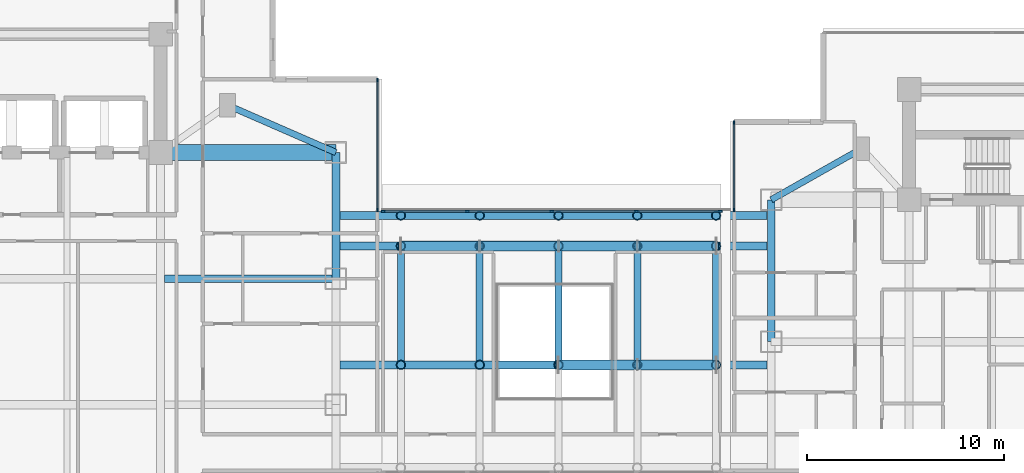
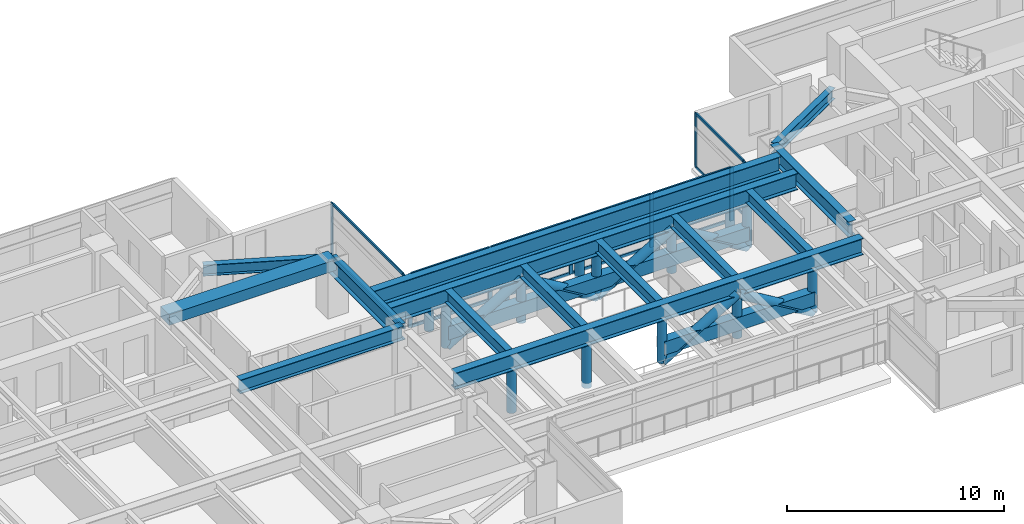
# One storey, part 6 of 28: 44 members, 14 beams, 3 elements without a shape of their own.
"""IFC4 building model written with IfcOpenShell, lengths in metres."""

import ifcopenshell
import ifcopenshell.guid

model = None  # the IFC model being written
_history = None  # IfcOwnerHistory: only IFC2X3 demands one
_inside = {}  # id of a spatial element -> (the spatial element, [elements in it])
_under = {}  # id of a project, library or spatial element -> (it, [spatial elements below it])
_declared = {}  # id of a project -> (the project, [libraries it declares])
_typed = {}  # id of a type object -> (the type object, [elements of that type])
_made_of = {}  # id of a material, layer set ... -> (it, [elements and type objects made of it])


def new_model(schema):
    """Start an empty IFC model of exactly this schema.

    Asked for "IFC4X3", IfcOpenShell would pick the latest addendum, in which some entities
    have other attributes; the version numbers below select the first issue.
    IFC2X3 requires an IfcOwnerHistory on every rooted entity: one is made here for all.
    """
    global model, _history
    if schema == "IFC4X3":
        model = ifcopenshell.file(schema_version=(4, 3, 0, 0))
    else:
        model = ifcopenshell.file(schema=schema)
    _inside.clear()
    _under.clear()
    _declared.clear()
    _typed.clear()
    _made_of.clear()
    _history = None
    if model.schema == "IFC2X3":
        org = make("IfcOrganization", Name="unknown")
        user = make(
            "IfcPersonAndOrganization",
            ThePerson=make("IfcPerson", FamilyName="unknown"),
            TheOrganization=org,
        )
        app = make(
            "IfcApplication",
            ApplicationDeveloper=org,
            Version="unknown",
            ApplicationFullName="unknown",
            ApplicationIdentifier="unknown",
        )
        _history = make(
            "IfcOwnerHistory",
            OwningUser=user,
            OwningApplication=app,
            ChangeAction="ADDED",
            CreationDate=0,
        )
    return model


def make(cls, **values):
    """One entity of the class cls with the attributes given. An attribute that is None is left unset."""
    return model.create_entity(
        cls, **{name: value for name, value in values.items() if value is not None}
    )


def rooted(cls, **values):
    """An entity with a GlobalId (a new one), such as an element, a storey or a relation."""
    return make(cls, GlobalId=ifcopenshell.guid.new(), OwnerHistory=_history, **values)


def si_unit(unit_type, name, prefix=None):
    """IfcSIUnit, for example si_unit("LENGTHUNIT", "METRE", prefix="MILLI")."""
    return make("IfcSIUnit", UnitType=unit_type, Prefix=prefix, Name=name)


def assignment(units):
    """IfcUnitAssignment: the units of a project."""
    return None if units is None else make("IfcUnitAssignment", Units=units)


def point(xyz):
    """IfcCartesianPoint."""
    return None if xyz is None else make("IfcCartesianPoint", Coordinates=xyz)


def direction(xyz):
    """IfcDirection."""
    return None if xyz is None else make("IfcDirection", DirectionRatios=xyz)


def frame(location, z_axis=None, x_axis=None):
    """IfcAxis2Placement3D, a coordinate frame: its origin and axes. An axis left out is left unset."""
    return make(
        "IfcAxis2Placement3D",
        Location=point(location),
        Axis=direction(z_axis),
        RefDirection=direction(x_axis),
    )


def frame_2d(location, x_axis=None):
    """IfcAxis2Placement2D, a coordinate frame in the plane: its origin and x axis."""
    return make(
        "IfcAxis2Placement2D", Location=point(location), RefDirection=direction(x_axis)
    )


def origin():
    """The frame at (0, 0, 0) with its axes left unset."""
    return frame((0.0, 0.0, 0.0))


def origin_2d():
    """The frame at (0, 0) in the plane with its x axis left unset."""
    return frame_2d((0.0, 0.0))


def place(relative_to, where):
    """IfcLocalPlacement: puts the frame where relative to a parent placement (None: the world)."""
    return make(
        "IfcLocalPlacement", PlacementRelTo=relative_to, RelativePlacement=where
    )


def context(
    kind, dimensions, precision=None, world=None, true_north=None, identifier=None
):
    """IfcGeometricRepresentationContext, for example the 3D "Model" context."""
    return make(
        "IfcGeometricRepresentationContext",
        ContextIdentifier=identifier,
        ContextType=kind,
        CoordinateSpaceDimension=dimensions,
        Precision=precision,
        WorldCoordinateSystem=world,
        TrueNorth=true_north,
    )


def subcontext(parent, identifier, kind, view, scale=None):
    """IfcGeometricRepresentationSubContext, for example "Body" below "Model"."""
    return make(
        "IfcGeometricRepresentationSubContext",
        ContextIdentifier=identifier,
        ContextType=kind,
        ParentContext=parent,
        TargetScale=scale,
        TargetView=view,
    )


def project(units=None, contexts=None):
    """IfcProject with its units and contexts."""
    return rooted(
        "IfcProject",
        Name="project",
        RepresentationContexts=contexts,
        UnitsInContext=assignment(units),
    )


def spatial(cls, under=None, at=None, **own):
    """A site, building, storey or space (cls), placed at a placement, below another one or the project."""
    s = rooted(cls, ObjectPlacement=at, **own)
    if under is not None:
        _under.setdefault(under.id(), (under, []))[1].append(s)
    return s


def profile(cls, at=None, kind="AREA", **sizes):
    """A parametric profile (cls). Its sizes go by their IFC names, for example OverallWidth=200.0."""
    return make(cls, ProfileType=kind, Position=at, **sizes)


def rectangle(**sizes):
    """IfcRectangleProfileDef."""
    return profile("IfcRectangleProfileDef", **sizes)


def hollow_rectangle(**sizes):
    """IfcRectangleHollowProfileDef."""
    return profile("IfcRectangleHollowProfileDef", **sizes)


def hollow_circle(**sizes):
    """IfcCircleHollowProfileDef."""
    return profile("IfcCircleHollowProfileDef", **sizes)


def i_section(**sizes):
    """IfcIShapeProfileDef."""
    return profile("IfcIShapeProfileDef", **sizes)


def extrude(swept, where, along, depth):
    """IfcExtrudedAreaSolid: the profile swept, set in the frame where, extruded along a direction by depth."""
    return make(
        "IfcExtrudedAreaSolid",
        SweptArea=swept,
        Position=where,
        ExtrudedDirection=direction(along),
        Depth=depth,
    )


def shape(context_of_items, identifier, shape_type, items):
    """IfcShapeRepresentation: the items that make up one representation, for example the "Body"."""
    return make(
        "IfcShapeRepresentation",
        ContextOfItems=context_of_items,
        RepresentationIdentifier=identifier,
        RepresentationType=shape_type,
        Items=items,
    )


def material(Name=None, Category=None):
    """IfcMaterial."""
    return make("IfcMaterial", Name=Name, Category=Category)


def material_profile(
    of_material, cross_section, Name=None, Category=None, Priority=None
):
    """IfcMaterialProfile: a cross section and its material."""
    return make(
        "IfcMaterialProfile",
        Name=Name,
        Material=of_material,
        Profile=cross_section,
        Priority=Priority,
        Category=Category,
    )


def profile_set(profiles, Name=None, composite=None):
    """IfcMaterialProfileSet."""
    return make(
        "IfcMaterialProfileSet",
        Name=Name,
        MaterialProfiles=profiles,
        CompositeProfile=composite,
    )


def made_of(thing, what):
    """Note that an element or type object is made of a material, layer set ...; save() writes the relation."""
    if what is not None:
        _made_of.setdefault(what.id(), (what, []))[1].append(thing)
    return thing


def type_object(cls, material=None, **own):
    """A type object (cls), such as IfcWallType, which elements share."""
    return made_of(rooted(cls, **own), material)


def element(
    cls,
    number,
    at=None,
    inside=None,
    cuts=None,
    type_object=None,
    material=None,
    context=None,
    identifier="Body",
    shape_type=None,
    held_by="IfcProductDefinitionShape",
    body=None,
    shapes=None,
    **own,
):
    """One element of the class cls, such as IfcWall. Its Tag is "e" and its number.

    at: its placement. inside: the storey or other place that contains it. cuts: it is an
    opening in that element (IfcRelVoidsElement). A single representation is given by context,
    identifier, shape_type and body (its items); several are given by shapes. held_by: the class
    of the entity that holds the representations. save() writes the other relations.
    """
    e = rooted(cls, Tag="e%d" % number, ObjectPlacement=at, **own)
    if body is not None:
        shapes = [shape(context, identifier, shape_type, body)]
    if shapes is not None:
        e.Representation = make(held_by, Representations=shapes)
    if inside is not None:
        _inside.setdefault(inside.id(), (inside, []))[1].append(e)
    if cuts is not None:
        rooted(
            "IfcRelVoidsElement", RelatingBuildingElement=cuts, RelatedOpeningElement=e
        )
    if type_object is not None:
        _typed.setdefault(type_object.id(), (type_object, []))[1].append(e)
    return made_of(e, material)


def aggregate(whole, parts):
    """IfcRelAggregates: a whole, such as a stair, and the parts it consists of."""
    return rooted("IfcRelAggregates", RelatingObject=whole, RelatedObjects=parts)


def save(model, path):
    """Write the relations noted so far, then the file.

    IfcRelAggregates (storeys below a building ...), IfcRelContainedInSpatialStructure (elements
    in a storey), IfcRelDefinesByType, IfcRelAssociatesMaterial and IfcRelDeclares: one each for
    every whole, place, type object, material and project.
    """
    for whole, parts in _under.values():
        aggregate(whole, parts)
    for where, things in _inside.values():
        rooted(
            "IfcRelContainedInSpatialStructure",
            RelatedElements=things,
            RelatingStructure=where,
        )
    for kind, things in _typed.values():
        rooted("IfcRelDefinesByType", RelatedObjects=things, RelatingType=kind)
    for what, things in _made_of.values():
        rooted("IfcRelAssociatesMaterial", RelatedObjects=things, RelatingMaterial=what)
    for by, libraries in _declared.values():
        rooted("IfcRelDeclares", RelatingContext=by, RelatedDefinitions=libraries)
    model.write(path)


model = new_model("IFC4")

# Units and contexts
model_context = context("Model", 3, precision=1e-05, world=origin(), true_north=direction((0.0, 1.0)))
body_context = subcontext(model_context, "Body", "Model", "MODEL_VIEW")
ifc_project = project(units=[si_unit("LENGTHUNIT", "METRE"), si_unit("AREAUNIT", "SQUARE_METRE"), si_unit("VOLUMEUNIT", "CUBIC_METRE"), si_unit("PLANEANGLEUNIT", "RADIAN"), si_unit("MASSUNIT", "GRAM", prefix="KILO")], contexts=[model_context])

# Site, building, storey
site_placement = place(None, origin())
site = spatial("IfcSite", under=ifc_project, at=site_placement, CompositionType="ELEMENT")
building_placement = place(site_placement, origin())
building = spatial("IfcBuilding", under=site, at=building_placement, Name="Mirazonda Arch Towers", CompositionType="ELEMENT")
storey_placement = place(building_placement, frame((0.0, 0.0, 91.699951171875)))
storey = spatial("IfcBuildingStorey", under=building, at=storey_placement, Name="L25", CompositionType="ELEMENT", Elevation=91.699951171875)

# Beams
ifc_material_1 = material(Name="Steel ASTM A992 Grade 50", Category="steel")
ifc_material_profile_1 = material_profile(ifc_material_1, i_section(OverallWidth=0.39990234375, OverallDepth=0.85595703125, WebThickness=0.018310546875, FlangeThickness=0.029296875, at=origin_2d()), Name="W33X201")
ifc_profile_set_1 = profile_set([ifc_material_profile_1], Name="Steel ASTM A992 Grade 50")
beam_type_1 = type_object("IfcBeamType", Name="BM-EXT-W33X201", PredefinedType="USERDEFINED", material=ifc_profile_set_1)
beam_1_placement = place(storey_placement, frame((61.0, 28.0, 2.652099609375), z_axis=(0.0, 1.0, 0.0), x_axis=(-1.0, 0.0, 0.0)))
element("IfcBeam", 1, at=beam_1_placement, inside=storey, type_object=beam_type_1, Name="L25 Floor Beam BM-T2-L25-NS-W-28", ObjectType="GIRDER", PredefinedType="USERDEFINED", context=body_context, shape_type="SweptSolid", body=[
    extrude(i_section(OverallWidth=0.39990234375, OverallDepth=0.85595703125, WebThickness=0.018310546875, FlangeThickness=0.029296875, at=origin_2d()), origin(), (0.0, 0.0, 1.0), 7.199951171875),
])
ifc_material_profile_2 = material_profile(ifc_material_1, i_section(OverallWidth=0.41796875, OverallDepth=0.927001953125, WebThickness=0.019287109375, FlangeThickness=0.031982421875, at=origin_2d()), Name="W36X231")
ifc_profile_set_2 = profile_set([ifc_material_profile_2], Name="Steel ASTM A992 Grade 50")
beam_type_2 = type_object("IfcBeamType", Name="BM-EXT-W36X231", PredefinedType="USERDEFINED", material=ifc_profile_set_2)
beam_2_placement = place(storey_placement, frame((38.89990234375, 31.199951171875, 2.616455078125), z_axis=(0.0, 1.0, 0.0), x_axis=(-1.0, 0.0, 0.0)))
element("IfcBeam", 2, at=beam_2_placement, inside=storey, type_object=beam_type_2, Name="L25 Floor Beam BM-T1-L25-NS-E-31", ObjectType="GIRDER", PredefinedType="USERDEFINED", context=body_context, shape_type="SweptSolid", body=[
    extrude(i_section(OverallWidth=0.41796875, OverallDepth=0.927001953125, WebThickness=0.019287109375, FlangeThickness=0.031982421875, at=origin_2d()), origin(), (0.0, 0.0, 1.0), 6.400146484375),
])
beam_3_placement = place(storey_placement, frame((39.10400390625, 34.39990234375, 2.556640625), z_axis=(1.0, 0.0, 0.0), x_axis=(0.0, 1.0, 0.0)))
element("IfcBeam", 3, at=beam_3_placement, inside=storey, type_object=beam_type_2, Name="L26 Skybridge N Longitudinal Box Girder", ObjectType="GIRDER", PredefinedType="USERDEFINED", context=body_context, shape_type="SweptSolid", body=[
    extrude(i_section(OverallWidth=0.41796875, OverallDepth=0.927001953125, WebThickness=0.019287109375, FlangeThickness=0.031982421875, at=origin_2d()), origin(), (0.0, 0.0, 1.0), 21.69189453125),
])
ifc_material_profile_3 = material_profile(ifc_material_1, i_section(OverallWidth=0.324951171875, OverallDepth=0.615966796875, WebThickness=0.013916015625, FlangeThickness=0.021484375, at=origin_2d()), Name="W24X117")
ifc_profile_set_3 = profile_set([ifc_material_profile_3], Name="Steel ASTM A992 Grade 50")
beam_type_3 = type_object("IfcBeamType", Name="BM-INT-W24X117", PredefinedType="BEAM", material=ifc_profile_set_3)
beam_4_placement = place(storey_placement, frame((33.39990234375, 40.0, 2.77197265625), z_axis=(0.916545343703, -0.399930785183, 0.0), x_axis=(0.399930785183, 0.916545343703, 0.0)))
element("IfcBeam", 4, at=beam_4_placement, inside=storey, type_object=beam_type_3, Name="L25 Floor Beam BM-T1-L25-PL-NE2", PredefinedType="BEAM", context=body_context, shape_type="SweptSolid", body=[
    extrude(i_section(OverallWidth=0.324951171875, OverallDepth=0.615966796875, WebThickness=0.013916015625, FlangeThickness=0.021484375, at=origin_2d()), origin(), (0.0, 0.0, 1.0), 6.000732421875),
])
beam_5_placement = place(storey_placement, frame((65.60009765625, 37.800048828125, 2.77197265625), z_axis=(-0.870559396632, -0.492063346467, 0.0), x_axis=(0.492063346467, -0.870559396632, 0.0)))
element("IfcBeam", 5, at=beam_5_placement, inside=storey, type_object=beam_type_3, Name="L25 Floor Beam BM-T2-L25-PL-NW2", PredefinedType="BEAM", context=body_context, shape_type="SweptSolid", body=[
    extrude(i_section(OverallWidth=0.324951171875, OverallDepth=0.615966796875, WebThickness=0.013916015625, FlangeThickness=0.021484375, at=origin_2d()), origin(), (0.0, 0.0, 1.0), 5.2841796875),
])
ifc_material_profile_4 = material_profile(ifc_material_1, i_section(OverallWidth=0.35498046875, OverallDepth=0.696044921875, WebThickness=0.015380859375, FlangeThickness=0.02490234375, at=origin_2d()), Name="W27X146")
ifc_profile_set_4 = profile_set([ifc_material_profile_4], Name="Steel ASTM A992 Grade 50")
beam_type_4 = type_object("IfcBeamType", Name="BM-INT-W27X146", PredefinedType="BEAM", material=ifc_profile_set_4)
for number, where, z_axis, x_axis, name in (
    (6, (42.199951171875, 27.02392578125, 2.672119140625), (0.0, 1.0, 0.0), (-1.0, 0.0, 0.0), "L25 Floor Beam BM-BRG-L26-XG1B"),
    (7, (46.199951171875, 27.02392578125, 2.672119140625), (0.0, 1.0, 0.0), (-1.0, 0.0, 0.0), "L25 Floor Beam BM-BRG-L26-XG2B"),
    (8, (50.199951171875, 27.02392578125, 2.672119140625), (0.0, 1.0, 0.0), (-1.0, 0.0, 0.0), "L25 Floor Beam BM-BRG-L26-XG3B"),
    (9, (54.199951171875, 27.02392578125, 2.672119140625), (0.0, 1.0, 0.0), (-1.0, 0.0, 0.0), "L25 Floor Beam BM-BRG-L26-XG4B"),
    (10, (58.199951171875, 27.02392578125, 2.672119140625), (0.0, 1.0, 0.0), (-1.0, 0.0, 0.0), "L25 Floor Beam BM-BRG-L26-XG5B"),
):
    element("IfcBeam", number, at=place(storey_placement, frame(where, z_axis=z_axis, x_axis=x_axis)), inside=storey, type_object=beam_type_4, Name=name, PredefinedType="BEAM", context=body_context, shape_type="SweptSolid", body=[
        extrude(i_section(OverallWidth=0.35498046875, OverallDepth=0.696044921875, WebThickness=0.015380859375, FlangeThickness=0.02490234375, at=origin_2d()), origin(), (0.0, 0.0, 1.0), 5.6220703125),
    ])
ifc_material_profile_5 = material_profile(ifc_material_1, i_section(OverallWidth=0.381103515625, OverallDepth=0.77294921875, WebThickness=0.0166015625, FlangeThickness=0.027099609375, at=origin_2d()), Name="W30X173")
ifc_profile_set_5 = profile_set([ifc_material_profile_5], Name="Steel ASTM A992 Grade 50")
beam_type_5 = type_object("IfcBeamType", Name="BM-INT-W30X173", PredefinedType="USERDEFINED", material=ifc_profile_set_5)
beam_6_placement = place(storey_placement, frame((30.21142578125, 31.199951171875, 2.693603515625), z_axis=(1.0, 0.0, 0.0), x_axis=(0.0, 1.0, 0.0)))
element("IfcBeam", 11, at=beam_6_placement, inside=storey, type_object=beam_type_5, Name="L25 Floor Beam BM-T1-L25-GE3", ObjectType="GIRDER", PredefinedType="USERDEFINED", context=body_context, shape_type="SweptSolid", body=[
    extrude(i_section(OverallWidth=0.381103515625, OverallDepth=0.77294921875, WebThickness=0.0166015625, FlangeThickness=0.027099609375, at=origin_2d()), origin(), (0.0, 0.0, 1.0), 8.6884765625),
])
ifc_material_profile_6 = material_profile(ifc_material_1, i_section(OverallWidth=0.41796875, OverallDepth=0.927001953125, WebThickness=0.019287109375, FlangeThickness=0.031982421875, at=origin_2d()), Name="W36X231")
ifc_profile_set_6 = profile_set([ifc_material_profile_6], Name="Steel ASTM A992 Grade 50")
beam_type_6 = type_object("IfcBeamType", Name="BM-INT-W36X231", PredefinedType="USERDEFINED", material=ifc_profile_set_6)
for number, where, z_axis, x_axis, name in (
    (12, (39.10400390625, 26.820068359375, 2.556640625), (1.0, 0.0, 0.0), (0.0, 1.0, 0.0), "L26 Skybridge IS Interior Truss Girder"),
    (13, (39.10400390625, 32.85009765625, 2.556640625), (1.0, 0.0, 0.0), (0.0, 1.0, 0.0), "L26 Skybridge IN Interior Truss Girder"),
):
    element("IfcBeam", number, at=place(storey_placement, frame(where, z_axis=z_axis, x_axis=x_axis)), inside=storey, type_object=beam_type_6, Name=name, ObjectType="GIRDER", PredefinedType="USERDEFINED", context=body_context, shape_type="SweptSolid", body=[
        extrude(i_section(OverallWidth=0.41796875, OverallDepth=0.927001953125, WebThickness=0.019287109375, FlangeThickness=0.031982421875, at=origin_2d()), origin(), (0.0, 0.0, 1.0), 21.69189453125),
    ])
ifc_material_2 = material(Name="Concrete C60/75", Category="concrete")
ifc_material_profile_7 = material_profile(ifc_material_2, rectangle(XDim=0.800048828125, YDim=0.60009765625, at=origin_2d()), Name="RCCB800x600")
ifc_profile_set_7 = profile_set([ifc_material_profile_7], Name="Concrete C60/75")
beam_type_7 = type_object("IfcBeamType", Name="CB-INT-RCCB800x600", PredefinedType="SPANDREL", material=ifc_profile_set_7)
beam_7_placement = place(storey_placement, frame((30.0, 37.60009765625, 2.780029296875), z_axis=(1.0, 0.0, 0.0), x_axis=(0.0, 1.0, 0.0)))
element("IfcBeam", 14, at=beam_7_placement, inside=storey, type_object=beam_type_7, Name="L25 Floor Beam CBC-T1-L25-NE", PredefinedType="SPANDREL", context=body_context, shape_type="SweptSolid", body=[
    extrude(rectangle(XDim=0.800048828125, YDim=0.60009765625, at=origin_2d()), origin(), (0.0, 0.0, 1.0), 8.89990234375),
])

# Members
ifc_material_3 = material(Name="Steel ASTM A572 Grade 50", Category="steel")
ifc_material_profile_8 = material_profile(ifc_material_3, hollow_circle(Radius=0.228515625, WallThickness=0.02197265625, at=origin_2d()), Name="BELTSTRUT457x22CHS")
ifc_profile_set_8 = profile_set([ifc_material_profile_8], Name="Steel ASTM A572 Grade 50")
member_type_1 = type_object("IfcMemberType", Name="MBR-EXT-BELTSTRUT457x22CHS", PredefinedType="STRUT", material=ifc_profile_set_8)
for number, where, z_axis, x_axis, name in (
    (15, (42.199951171875, 34.39990234375, -0.2900390625), (0.0, 0.0, 1.0), (1.0, 0.0, 0.0), "L25 Skybridge N Vierendeel Post 1"),
    (16, (46.199951171875, 34.39990234375, -0.2900390625), (0.0, 0.0, 1.0), (1.0, 0.0, 0.0), "L25 Skybridge N Vierendeel Post 2"),
    (17, (50.199951171875, 34.39990234375, -0.2900390625), (0.0, 0.0, 1.0), (1.0, 0.0, 0.0), "L25 Skybridge N Vierendeel Post 3"),
    (18, (54.199951171875, 34.39990234375, -0.2900390625), (0.0, 0.0, 1.0), (1.0, 0.0, 0.0), "L25 Skybridge N Vierendeel Post 4"),
    (19, (58.199951171875, 34.39990234375, -0.2900390625), (0.0, 0.0, 1.0), (1.0, 0.0, 0.0), "L25 Skybridge N Vierendeel Post 5"),
    (20, (42.199951171875, 26.820068359375, -0.2900390625), (0.0, 0.0, 1.0), (1.0, 0.0, 0.0), "L25 Skybridge IS Interior Truss Post 1"),
    (21, (46.199951171875, 26.820068359375, -0.2900390625), (0.0, 0.0, 1.0), (1.0, 0.0, 0.0), "L25 Skybridge IS Interior Truss Post 2"),
    (22, (50.199951171875, 26.820068359375, -0.2900390625), (0.0, 0.0, 1.0), (1.0, 0.0, 0.0), "L25 Skybridge IS Interior Truss Post 3"),
    (23, (54.199951171875, 26.820068359375, -0.2900390625), (0.0, 0.0, 1.0), (1.0, 0.0, 0.0), "L25 Skybridge IS Interior Truss Post 4"),
    (24, (58.199951171875, 26.820068359375, -0.2900390625), (0.0, 0.0, 1.0), (1.0, 0.0, 0.0), "L25 Skybridge IS Interior Truss Post 5"),
    (25, (42.199951171875, 32.85009765625, -0.2900390625), (0.0, 0.0, 1.0), (1.0, 0.0, 0.0), "L25 Skybridge IN Interior Truss Post 1"),
    (26, (46.199951171875, 32.85009765625, -0.2900390625), (0.0, 0.0, 1.0), (1.0, 0.0, 0.0), "L25 Skybridge IN Interior Truss Post 2"),
    (27, (50.199951171875, 32.85009765625, -0.2900390625), (0.0, 0.0, 1.0), (1.0, 0.0, 0.0), "L25 Skybridge IN Interior Truss Post 3"),
    (28, (54.199951171875, 32.85009765625, -0.2900390625), (0.0, 0.0, 1.0), (1.0, 0.0, 0.0), "L25 Skybridge IN Interior Truss Post 4"),
    (29, (58.199951171875, 32.85009765625, -0.2900390625), (0.0, 0.0, 1.0), (1.0, 0.0, 0.0), "L25 Skybridge IN Interior Truss Post 5"),
):
    element("IfcMember", number, at=place(storey_placement, frame(where, z_axis=z_axis, x_axis=x_axis)), inside=storey, type_object=member_type_1, Name=name, PredefinedType="STRUT", context=body_context, shape_type="SweptSolid", body=[
        extrude(hollow_circle(Radius=0.228515625, WallThickness=0.02197265625, at=origin_2d()), origin(), (0.0, 0.0, 1.0), 2.39306640625),
    ])
ifc_material_profile_9 = material_profile(ifc_material_3, hollow_rectangle(XDim=0.5, YDim=0.75, WallThickness=0.0419921875, at=origin_2d()), Name="BRGCHORD750x500x42")
ifc_profile_set_9 = profile_set([ifc_material_profile_9], Name="Steel ASTM A572 Grade 50")
member_type_2 = type_object("IfcMemberType", Name="MBR-EXT-BRGCHORD750x500x42", PredefinedType="CHORD", material=ifc_profile_set_9)
member_1_placement = place(storey_placement, frame((50.199951171875, 26.820068359375, 0.550048828125), z_axis=(1.0, 0.0, 0.0), x_axis=(0.0, 1.0, 0.0)))
element("IfcMember", 30, at=member_1_placement, inside=storey, type_object=member_type_2, Name="L25 Skybridge IS Truss Chord", PredefinedType="CHORD", context=body_context, shape_type="SweptSolid", body=[
    extrude(hollow_rectangle(XDim=0.5, YDim=0.75, WallThickness=0.0419921875, at=origin_2d()), origin(), (0.0, 0.0, 1.0), 8.0),
])
member_2_placement = place(storey_placement, frame((42.199951171875, 32.85009765625, 0.550048828125), z_axis=(1.0, 0.0, 0.0), x_axis=(0.0, 1.0, 0.0)))
element("IfcMember", 31, at=member_2_placement, inside=storey, type_object=member_type_2, Name="L25 Skybridge IN Truss Chord", PredefinedType="CHORD", context=body_context, shape_type="SweptSolid", body=[
    extrude(hollow_rectangle(XDim=0.5, YDim=0.75, WallThickness=0.0419921875, at=origin_2d()), origin(), (0.0, 0.0, 1.0), 16.0),
])
ifc_material_profile_10 = material_profile(ifc_material_3, hollow_circle(Radius=0.25390625, WallThickness=0.02490234375, at=origin_2d()), Name="BRGDIAG508x25CHS")
ifc_profile_set_10 = profile_set([ifc_material_profile_10], Name="Steel ASTM A572 Grade 50")
member_type_3 = type_object("IfcMemberType", Name="MBR-EXT-BRGDIAG508x25CHS", PredefinedType="BRACE", material=ifc_profile_set_10)
for number, where, z_axis, x_axis, name in (
    (32, (50.199951171875, 26.820068359375, -0.2900390625), (0.858148483991, 0.0, 0.513401577153), (0.0, 1.0, 0.0), "L25 Skybridge IS Web Diagonal 3"),
    (33, (54.199951171875, 26.820068359375, 2.10302734375), (0.858148483991, 0.0, -0.513401577153), (0.0, 1.0, 0.0), "L25 Skybridge IS Web Diagonal 4"),
    (34, (42.199951171875, 32.85009765625, -0.2900390625), (0.858148483991, 0.0, 0.513401577153), (0.0, 1.0, 0.0), "L25 Skybridge IN Web Diagonal 1"),
    (35, (46.199951171875, 32.85009765625, 2.10302734375), (0.858148483991, 0.0, -0.513401577153), (0.0, 1.0, 0.0), "L25 Skybridge IN Web Diagonal 2"),
    (36, (50.199951171875, 32.85009765625, -0.2900390625), (0.858148483991, 0.0, 0.513401577153), (0.0, 1.0, 0.0), "L25 Skybridge IN Web Diagonal 3"),
    (37, (54.199951171875, 32.85009765625, 2.10302734375), (0.858148483991, 0.0, -0.513401577153), (0.0, 1.0, 0.0), "L25 Skybridge IN Web Diagonal 4"),
):
    element("IfcMember", number, at=place(storey_placement, frame(where, z_axis=z_axis, x_axis=x_axis)), inside=storey, type_object=member_type_3, Name=name, PredefinedType="BRACE", context=body_context, shape_type="SweptSolid", body=[
        extrude(hollow_circle(Radius=0.25390625, WallThickness=0.02490234375, at=origin_2d()), origin(), (0.0, 0.0, 1.0), 4.6611328125),
    ])

# Curtain wall, members
ifc_material_4 = material(Name="Anodised Aluminium and Low-E Glass", Category="aluminium")
curtain_wall_type_1 = type_object("IfcCurtainWallType", Name="CW-BRG-LINK", PredefinedType="NOTDEFINED", material=ifc_material_4)
curtain_wall_1_placement = place(storey_placement, origin())
curtain_wall_1 = element("IfcCurtainWall", 38, at=curtain_wall_1_placement, inside=storey, type_object=curtain_wall_type_1, Name="L25 Skybridge North Glazing CW-L25-BRG-N", PredefinedType="NOTDEFINED")
ifc_material_5 = material(Name="Anodised Aluminium Alloy", Category="aluminium")
ifc_material_profile_11 = material_profile(ifc_material_5, rectangle(XDim=0.0849609375, YDim=0.199951171875, at=origin_2d()), Name="ALU-MULL-85x200")
ifc_profile_set_11 = profile_set([ifc_material_profile_11], Name="Anodised Aluminium Alloy")
member_type_4 = type_object("IfcMemberType", Name="MULL-CW-BRG-LINK", PredefinedType="MULLION", material=ifc_profile_set_11)
member_3_placement = place(storey_placement, frame((41.3125, 34.6201171875, 0.0), z_axis=(0.0, 0.0, 1.0), x_axis=(0.0, 1.0, 0.0)))
member_3 = element("IfcMember", 39, at=member_3_placement, type_object=member_type_4, Name="CW-103 mullion 1", PredefinedType="MULLION", context=body_context, shape_type="SweptSolid", body=[
    extrude(rectangle(XDim=0.0849609375, YDim=0.199951171875, at=origin_2d()), origin(), (0.0, 0.0, 1.0), 3.0),
])
member_4_placement = place(storey_placement, frame((45.56494140625, 34.6201171875, 0.0), z_axis=(0.0, 0.0, 1.0), x_axis=(0.0, 1.0, 0.0)))
member_4 = element("IfcMember", 40, at=member_4_placement, type_object=member_type_4, Name="CW-103 mullion 2", PredefinedType="MULLION", context=body_context, shape_type="SweptSolid", body=[
    extrude(rectangle(XDim=0.0849609375, YDim=0.199951171875, at=origin_2d()), origin(), (0.0, 0.0, 1.0), 3.0),
])
member_5_placement = place(storey_placement, frame((49.85986328125, 34.6201171875, 0.0), z_axis=(0.0, 0.0, 1.0), x_axis=(0.0, 1.0, 0.0)))
member_5 = element("IfcMember", 41, at=member_5_placement, type_object=member_type_4, Name="CW-103 mullion 3", PredefinedType="MULLION", context=body_context, shape_type="SweptSolid", body=[
    extrude(rectangle(XDim=0.0849609375, YDim=0.199951171875, at=origin_2d()), origin(), (0.0, 0.0, 1.0), 3.0),
])
member_6_placement = place(storey_placement, frame((54.154541015625, 34.6201171875, 0.0), z_axis=(0.0, 0.0, 1.0), x_axis=(0.0, 1.0, 0.0)))
member_6 = element("IfcMember", 42, at=member_6_placement, type_object=member_type_4, Name="CW-103 mullion 4", PredefinedType="MULLION", context=body_context, shape_type="SweptSolid", body=[
    extrude(rectangle(XDim=0.0849609375, YDim=0.199951171875, at=origin_2d()), origin(), (0.0, 0.0, 1.0), 3.0),
])
member_7_placement = place(storey_placement, frame((58.406982421875, 34.6201171875, 0.0), z_axis=(0.0, 0.0, 1.0), x_axis=(0.0, 1.0, 0.0)))
member_7 = element("IfcMember", 43, at=member_7_placement, type_object=member_type_4, Name="CW-103 mullion 5", PredefinedType="MULLION", context=body_context, shape_type="SweptSolid", body=[
    extrude(rectangle(XDim=0.0849609375, YDim=0.199951171875, at=origin_2d()), origin(), (0.0, 0.0, 1.0), 3.0),
])

curtain_wall_type_2 = type_object("IfcCurtainWallType", Name="CW-HTL-UNIT", PredefinedType="NOTDEFINED", material=ifc_material_4)
curtain_wall_2_placement = place(storey_placement, origin())
curtain_wall_2 = element("IfcCurtainWall", 44, at=curtain_wall_2_placement, inside=storey, type_object=curtain_wall_type_2, Name="L25 Curtain Wall CW-L25-T1-E2", PredefinedType="NOTDEFINED")
ifc_material_profile_12 = material_profile(ifc_material_5, rectangle(XDim=0.074951171875, YDim=0.1650390625, at=origin_2d()), Name="ALU-MULL-75x165")
ifc_profile_set_12 = profile_set([ifc_material_profile_12], Name="Anodised Aluminium Alloy")
member_type_5 = type_object("IfcMemberType", Name="MULL-CW-HTL-UNIT", PredefinedType="MULLION", material=ifc_profile_set_12)
member_8_placement = place(storey_placement, frame((41.010009765625, 34.677490234375, 0.0), z_axis=(0.0, 0.0, 1.0), x_axis=(-1.0, 0.0, 0.0)))
member_8 = element("IfcMember", 45, at=member_8_placement, type_object=member_type_5, Name="CW-112 mullion 1", PredefinedType="MULLION", context=body_context, shape_type="SweptSolid", body=[
    extrude(rectangle(XDim=0.074951171875, YDim=0.1650390625, at=origin_2d()), origin(), (0.0, 0.0, 1.0), 3.06005859375),
])
member_9_placement = place(storey_placement, frame((41.010009765625, 41.285400390625, 0.0), z_axis=(0.0, 0.0, 1.0), x_axis=(-1.0, 0.0, 0.0)))
member_9 = element("IfcMember", 46, at=member_9_placement, type_object=member_type_5, Name="CW-112 mullion 2", PredefinedType="MULLION", context=body_context, shape_type="SweptSolid", body=[
    extrude(rectangle(XDim=0.074951171875, YDim=0.1650390625, at=origin_2d()), origin(), (0.0, 0.0, 1.0), 3.06005859375),
])

curtain_wall_3_placement = place(storey_placement, origin())
curtain_wall_3 = element("IfcCurtainWall", 47, at=curtain_wall_3_placement, inside=storey, type_object=curtain_wall_type_2, Name="L25 Curtain Wall CW-L25-T2-W1", PredefinedType="NOTDEFINED")
member_10_placement = place(storey_placement, frame((59.119384765625, 39.126953125, 0.0), z_axis=(0.0, 0.0, 1.0), x_axis=(1.0, 0.0, 0.0)))
member_10 = element("IfcMember", 48, at=member_10_placement, type_object=member_type_5, Name="CW-112 mullion 1", PredefinedType="MULLION", context=body_context, shape_type="SweptSolid", body=[
    extrude(rectangle(XDim=0.074951171875, YDim=0.1650390625, at=origin_2d()), origin(), (0.0, 0.0, 1.0), 3.06005859375),
])
member_11_placement = place(storey_placement, frame((59.119384765625, 34.677490234375, 0.0), z_axis=(0.0, 0.0, 1.0), x_axis=(1.0, 0.0, 0.0)))
member_11 = element("IfcMember", 49, at=member_11_placement, type_object=member_type_5, Name="CW-112 mullion 2", PredefinedType="MULLION", context=body_context, shape_type="SweptSolid", body=[
    extrude(rectangle(XDim=0.074951171875, YDim=0.1650390625, at=origin_2d()), origin(), (0.0, 0.0, 1.0), 3.06005859375),
])

# Member
ifc_material_profile_13 = material_profile(ifc_material_5, rectangle(XDim=0.0849609375, YDim=0.179931640625, at=origin_2d()), Name="ALU-TRAN-85x180")
ifc_profile_set_13 = profile_set([ifc_material_profile_13], Name="Anodised Aluminium Alloy")
member_type_6 = type_object("IfcMemberType", Name="TRAN-CW-BRG-LINK", PredefinedType="USERDEFINED", material=ifc_profile_set_13)
member_12_placement = place(storey_placement, frame((41.35498046875, 34.6201171875, 0.04248046875), z_axis=(1.0, 0.0, 0.0), x_axis=(0.0, 1.0, 0.0)))
member_12 = element("IfcMember", 50, at=member_12_placement, type_object=member_type_6, Name="CW-103 transom 1.1", ObjectType="TRANSOM", PredefinedType="USERDEFINED", context=body_context, shape_type="SweptSolid", body=[
    extrude(rectangle(XDim=0.0849609375, YDim=0.179931640625, at=origin_2d()), origin(), (0.0, 0.0, 1.0), 4.16748046875),
])

member_13_placement = place(storey_placement, frame((41.35498046875, 34.6201171875, 2.95751953125), z_axis=(1.0, 0.0, 0.0), x_axis=(0.0, 1.0, 0.0)))
member_13 = element("IfcMember", 51, at=member_13_placement, type_object=member_type_6, Name="CW-103 transom 1.2", ObjectType="TRANSOM", PredefinedType="USERDEFINED", context=body_context, shape_type="SweptSolid", body=[
    extrude(rectangle(XDim=0.0849609375, YDim=0.179931640625, at=origin_2d()), origin(), (0.0, 0.0, 1.0), 4.16748046875),
])

member_14_placement = place(storey_placement, frame((45.607421875, 34.6201171875, 0.04248046875), z_axis=(1.0, 0.0, 0.0), x_axis=(0.0, 1.0, 0.0)))
member_14 = element("IfcMember", 52, at=member_14_placement, type_object=member_type_6, Name="CW-103 transom 2.1", ObjectType="TRANSOM", PredefinedType="USERDEFINED", context=body_context, shape_type="SweptSolid", body=[
    extrude(rectangle(XDim=0.0849609375, YDim=0.179931640625, at=origin_2d()), origin(), (0.0, 0.0, 1.0), 4.209716796875),
])

member_15_placement = place(storey_placement, frame((45.607421875, 34.6201171875, 2.95751953125), z_axis=(1.0, 0.0, 0.0), x_axis=(0.0, 1.0, 0.0)))
member_15 = element("IfcMember", 53, at=member_15_placement, type_object=member_type_6, Name="CW-103 transom 2.2", ObjectType="TRANSOM", PredefinedType="USERDEFINED", context=body_context, shape_type="SweptSolid", body=[
    extrude(rectangle(XDim=0.0849609375, YDim=0.179931640625, at=origin_2d()), origin(), (0.0, 0.0, 1.0), 4.209716796875),
])

member_16_placement = place(storey_placement, frame((49.90234375, 34.6201171875, 0.04248046875), z_axis=(1.0, 0.0, 0.0), x_axis=(0.0, 1.0, 0.0)))
member_16 = element("IfcMember", 54, at=member_16_placement, type_object=member_type_6, Name="CW-103 transom 3.1", ObjectType="TRANSOM", PredefinedType="USERDEFINED", context=body_context, shape_type="SweptSolid", body=[
    extrude(rectangle(XDim=0.0849609375, YDim=0.179931640625, at=origin_2d()), origin(), (0.0, 0.0, 1.0), 4.209716796875),
])

member_17_placement = place(storey_placement, frame((49.90234375, 34.6201171875, 2.95751953125), z_axis=(1.0, 0.0, 0.0), x_axis=(0.0, 1.0, 0.0)))
member_17 = element("IfcMember", 55, at=member_17_placement, type_object=member_type_6, Name="CW-103 transom 3.2", ObjectType="TRANSOM", PredefinedType="USERDEFINED", context=body_context, shape_type="SweptSolid", body=[
    extrude(rectangle(XDim=0.0849609375, YDim=0.179931640625, at=origin_2d()), origin(), (0.0, 0.0, 1.0), 4.209716796875),
])

member_18_placement = place(storey_placement, frame((54.197021484375, 34.6201171875, 0.04248046875), z_axis=(1.0, 0.0, 0.0), x_axis=(0.0, 1.0, 0.0)))
member_18 = element("IfcMember", 56, at=member_18_placement, type_object=member_type_6, Name="CW-103 transom 4.1", ObjectType="TRANSOM", PredefinedType="USERDEFINED", context=body_context, shape_type="SweptSolid", body=[
    extrude(rectangle(XDim=0.0849609375, YDim=0.179931640625, at=origin_2d()), origin(), (0.0, 0.0, 1.0), 4.16748046875),
])

member_19_placement = place(storey_placement, frame((54.197021484375, 34.6201171875, 2.95751953125), z_axis=(1.0, 0.0, 0.0), x_axis=(0.0, 1.0, 0.0)))
member_19 = element("IfcMember", 57, at=member_19_placement, type_object=member_type_6, Name="CW-103 transom 4.2", ObjectType="TRANSOM", PredefinedType="USERDEFINED", context=body_context, shape_type="SweptSolid", body=[
    extrude(rectangle(XDim=0.0849609375, YDim=0.179931640625, at=origin_2d()), origin(), (0.0, 0.0, 1.0), 4.16748046875),
])

aggregate(curtain_wall_1, [member_3, member_4, member_5, member_6, member_7, member_12, member_13, member_14, member_15, member_16, member_17, member_18, member_19])

ifc_material_profile_14 = material_profile(ifc_material_5, rectangle(XDim=0.074951171875, YDim=0.14501953125, at=origin_2d()), Name="ALU-TRAN-75x145")
ifc_profile_set_14 = profile_set([ifc_material_profile_14], Name="Anodised Aluminium Alloy")
member_type_7 = type_object("IfcMemberType", Name="TRAN-CW-HTL-UNIT", PredefinedType="USERDEFINED", material=ifc_profile_set_14)
member_20_placement = place(storey_placement, frame((41.010009765625, 34.715087890625, 0.03759765625), z_axis=(0.0, 1.0, 0.0), x_axis=(-1.0, 0.0, 0.0)))
member_20 = element("IfcMember", 58, at=member_20_placement, type_object=member_type_7, Name="CW-112 transom 1.1", ObjectType="TRANSOM", PredefinedType="USERDEFINED", context=body_context, shape_type="SweptSolid", body=[
    extrude(rectangle(XDim=0.074951171875, YDim=0.14501953125, at=origin_2d()), origin(), (0.0, 0.0, 1.0), 6.532958984375),
])

member_21_placement = place(storey_placement, frame((41.010009765625, 34.715087890625, 3.0224609375), z_axis=(0.0, 1.0, 0.0), x_axis=(-1.0, 0.0, 0.0)))
member_21 = element("IfcMember", 59, at=member_21_placement, type_object=member_type_7, Name="CW-112 transom 1.2", ObjectType="TRANSOM", PredefinedType="USERDEFINED", context=body_context, shape_type="SweptSolid", body=[
    extrude(rectangle(XDim=0.074951171875, YDim=0.14501953125, at=origin_2d()), origin(), (0.0, 0.0, 1.0), 6.532958984375),
])

aggregate(curtain_wall_2, [member_8, member_9, member_20, member_21])

member_22_placement = place(storey_placement, frame((59.119384765625, 39.089599609375, 0.03759765625), z_axis=(0.0, -1.0, 0.0), x_axis=(1.0, 0.0, 0.0)))
member_22 = element("IfcMember", 60, at=member_22_placement, type_object=member_type_7, Name="CW-112 transom 1.1", ObjectType="TRANSOM", PredefinedType="USERDEFINED", context=body_context, shape_type="SweptSolid", body=[
    extrude(rectangle(XDim=0.074951171875, YDim=0.14501953125, at=origin_2d()), origin(), (0.0, 0.0, 1.0), 4.37451171875),
])

member_23_placement = place(storey_placement, frame((59.119384765625, 39.089599609375, 3.0224609375), z_axis=(0.0, -1.0, 0.0), x_axis=(1.0, 0.0, 0.0)))
member_23 = element("IfcMember", 61, at=member_23_placement, type_object=member_type_7, Name="CW-112 transom 1.2", ObjectType="TRANSOM", PredefinedType="USERDEFINED", context=body_context, shape_type="SweptSolid", body=[
    extrude(rectangle(XDim=0.074951171875, YDim=0.14501953125, at=origin_2d()), origin(), (0.0, 0.0, 1.0), 4.37451171875),
])

aggregate(curtain_wall_3, [member_10, member_11, member_22, member_23])

save(model, "model.ifc")
